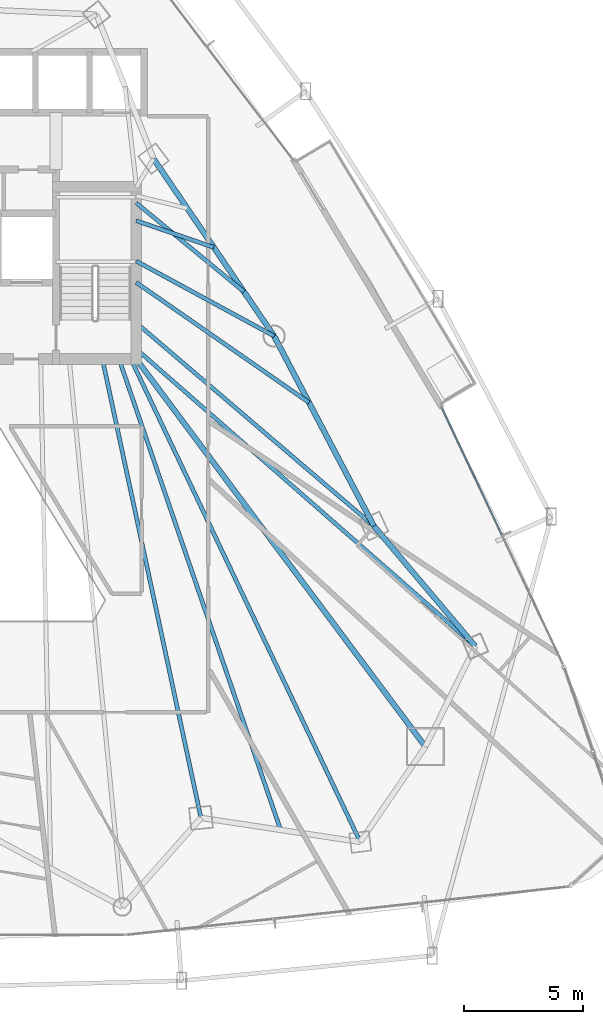
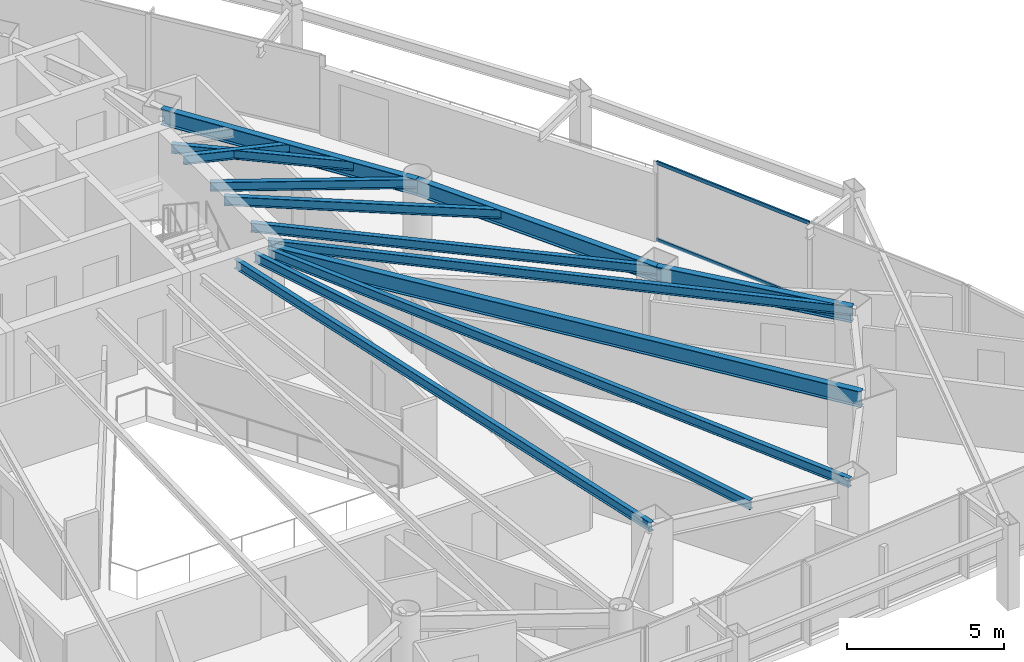
# One storey, part 16 of 33: 13 beams, 2 members, 1 element without a shape of its own.
"""IFC4 building model written with IfcOpenShell, lengths in metres."""

from ifc_helpers import new_model, si_unit, direction, frame, origin, origin_2d, place, context, subcontext, project, spatial, hollow_rectangle, i_section, extrude, material, layer, layer_set, material_profile, profile_set, type_object, element, aggregate, save


model = new_model("IFC4")

# Units and contexts
model_context = context("Model", 3, precision=1e-05, world=origin(), true_north=direction((0.0, 1.0)))
body_context = subcontext(model_context, "Body", "Model", "MODEL_VIEW")
ifc_project = project(units=[si_unit("LENGTHUNIT", "METRE"), si_unit("AREAUNIT", "SQUARE_METRE"), si_unit("VOLUMEUNIT", "CUBIC_METRE"), si_unit("PLANEANGLEUNIT", "RADIAN"), si_unit("MASSUNIT", "GRAM", prefix="KILO")], contexts=[model_context])

# Site, building, storey
site_placement = place(None, origin())
site = spatial("IfcSite", under=ifc_project, at=site_placement, CompositionType="ELEMENT")
building_placement = place(site_placement, origin())
building = spatial("IfcBuilding", under=site, at=building_placement, Name="Orvanel Arch Residences", CompositionType="ELEMENT")
storey_placement = place(building_placement, frame((0.0, 0.0, 90.64990234375)))
storey = spatial("IfcBuildingStorey", under=building, at=storey_placement, Name="L25", CompositionType="ELEMENT", Elevation=90.64990234375)

# Beams
ifc_material_1 = material(Name="Structural steel AS/NZS 3679.1 Grade 300 (300 MPa)", Category="steel")
ifc_material_profile_1 = material_profile(ifc_material_1, i_section(OverallWidth=0.22900390625, OverallDepth=0.612060546875, WebThickness=0.011962890625, FlangeThickness=0.01953125, at=origin_2d()), Name="610UB125")
ifc_profile_set_1 = profile_set([ifc_material_profile_1], Name="Structural steel AS/NZS 3679.1 Grade 300 (300 MPa)")
beam_type_1 = type_object("IfcBeamType", Name="BG-610UB", PredefinedType="BEAM", material=ifc_profile_set_1)
beam_1_placement = place(storey_placement, frame((39.625, 26.675048828125, 2.754150390625), z_axis=(0.597893733742, -0.801575375839, 0.0), x_axis=(0.801575375839, 0.597893733742, 0.0)))
element("IfcBeam", 1, at=beam_1_placement, inside=storey, type_object=beam_type_1, Name="L25 South-East Radial Girder", PredefinedType="BEAM", context=body_context, shape_type="SweptSolid", body=[
    extrude(i_section(OverallWidth=0.22900390625, OverallDepth=0.612060546875, WebThickness=0.011962890625, FlangeThickness=0.01953125, at=origin_2d()), origin(), (0.0, 0.0, 1.0), 20.36474609375),
])
ifc_material_profile_2 = material_profile(ifc_material_1, i_section(OverallWidth=0.1708984375, OverallDepth=0.35595703125, WebThickness=0.00732421875, FlangeThickness=0.011474609375, at=origin_2d()), Name="360UB50.7")
ifc_profile_set_2 = profile_set([ifc_material_profile_2], Name="Structural steel AS/NZS 3679.1 Grade 300 (300 MPa)")
beam_type_2 = type_object("IfcBeamType", Name="BJ-360UB", PredefinedType="JOIST", material=ifc_profile_set_2)
beam_2_placement = place(storey_placement, frame((39.625, 30.800048828125, 2.882080078125), z_axis=(0.878399029914, -0.477927969726, 0.0), x_axis=(0.477927969726, 0.878399029914, 0.0)))
element("IfcBeam", 2, at=beam_2_placement, inside=storey, type_object=beam_type_2, Name="L25 NE Wing Floor Joist", PredefinedType="JOIST", context=body_context, shape_type="SweptSolid", body=[
    extrude(i_section(OverallWidth=0.1708984375, OverallDepth=0.35595703125, WebThickness=0.00732421875, FlangeThickness=0.011474609375, at=origin_2d()), origin(), (0.0, 0.0, 1.0), 6.609619140625),
])
beam_3_placement = place(storey_placement, frame((39.625, 28.199951171875, 2.882080078125), z_axis=(0.760024297953, -0.649894658018, 0.0), x_axis=(0.649894658018, 0.760024297953, 0.0)))
element("IfcBeam", 3, at=beam_3_placement, inside=storey, type_object=beam_type_2, Name="L25 E Wing Floor Joist", PredefinedType="JOIST", context=body_context, shape_type="SweptSolid", body=[
    extrude(i_section(OverallWidth=0.1708984375, OverallDepth=0.35595703125, WebThickness=0.00732421875, FlangeThickness=0.011474609375, at=origin_2d()), origin(), (0.0, 0.0, 1.0), 13.16796875),
])
beam_4_placement = place(storey_placement, frame((38.199951171875, 26.675048828125, 2.882080078125), z_axis=(0.210066515515, -0.977687096703, 0.0), x_axis=(0.977687096703, 0.210066515515, 0.0)))
element("IfcBeam", 4, at=beam_4_placement, inside=storey, type_object=beam_type_2, Name="L25 SE Wing Floor Joist", PredefinedType="JOIST", context=body_context, shape_type="SweptSolid", body=[
    extrude(i_section(OverallWidth=0.1708984375, OverallDepth=0.35595703125, WebThickness=0.00732421875, FlangeThickness=0.011474609375, at=origin_2d()), origin(), (0.0, 0.0, 1.0), 19.760986328125),
])
beam_5_placement = place(storey_placement, frame((39.625, 32.5, 2.882080078125), z_axis=(0.945658073701, -0.325162740247, 0.0), x_axis=(0.325162740247, 0.945658073701, 0.0)))
element("IfcBeam", 5, at=beam_5_placement, inside=storey, type_object=beam_type_2, Name="L25 ENE Wing Floor Joist", PredefinedType="JOIST", context=body_context, shape_type="SweptSolid", body=[
    extrude(i_section(OverallWidth=0.1708984375, OverallDepth=0.35595703125, WebThickness=0.00732421875, FlangeThickness=0.011474609375, at=origin_2d()), origin(), (0.0, 0.0, 1.0), 3.453857421875),
])
beam_6_placement = place(storey_placement, frame((39.625, 27.10009765625, 2.882080078125), z_axis=(0.751924114057, -0.659249669472, 0.0), x_axis=(0.659249669472, 0.751924114057, 0.0)))
element("IfcBeam", 6, at=beam_6_placement, inside=storey, type_object=beam_type_2, Name="L25 ME Wing Floor Joist", PredefinedType="JOIST", context=body_context, shape_type="SweptSolid", body=[
    extrude(i_section(OverallWidth=0.1708984375, OverallDepth=0.35595703125, WebThickness=0.00732421875, FlangeThickness=0.011474609375, at=origin_2d()), origin(), (0.0, 0.0, 1.0), 18.9912109375),
])
beam_7_placement = place(storey_placement, frame((39.39990234375, 26.675048828125, 2.882080078125), z_axis=(0.429042657795, -0.903284228686, 0.0), x_axis=(0.903284228686, 0.429042657795, 0.0)))
element("IfcBeam", 7, at=beam_7_placement, inside=storey, type_object=beam_type_2, Name="L25 MSE Wing Floor Joist", PredefinedType="JOIST", context=body_context, shape_type="SweptSolid", body=[
    extrude(i_section(OverallWidth=0.1708984375, OverallDepth=0.35595703125, WebThickness=0.00732421875, FlangeThickness=0.011474609375, at=origin_2d()), origin(), (0.0, 0.0, 1.0), 22.513427734375),
])
beam_8_placement = place(storey_placement, frame((39.625, 33.25, 2.882080078125), z_axis=(0.771468562814, -0.636267441089, 0.0), x_axis=(0.636267441089, 0.771468562814, 0.0)))
element("IfcBeam", 8, at=beam_8_placement, inside=storey, type_object=beam_type_2, Name="L25 LE Wing Floor Joist", PredefinedType="JOIST", context=body_context, shape_type="SweptSolid", body=[
    extrude(i_section(OverallWidth=0.1708984375, OverallDepth=0.35595703125, WebThickness=0.00732421875, FlangeThickness=0.011474609375, at=origin_2d()), origin(), (0.0, 0.0, 1.0), 5.879638671875),
])
beam_9_placement = place(storey_placement, frame((39.625, 29.89990234375, 2.882080078125), z_axis=(0.821089880853, -0.570798920427, 0.0), x_axis=(0.570798920427, 0.821089880853, 0.0)))
element("IfcBeam", 9, at=beam_9_placement, inside=storey, type_object=beam_type_2, Name="L25 CTE Wing Floor Joist", PredefinedType="JOIST", context=body_context, shape_type="SweptSolid", body=[
    extrude(i_section(OverallWidth=0.1708984375, OverallDepth=0.35595703125, WebThickness=0.00732421875, FlangeThickness=0.011474609375, at=origin_2d()), origin(), (0.0, 0.0, 1.0), 8.86279296875),
])
beam_10_placement = place(storey_placement, frame((38.89990234375, 26.675048828125, 2.882080078125), z_axis=(0.324621456495, -0.945844019901, 0.0), x_axis=(0.945844019901, 0.324621456495, 0.0)))
element("IfcBeam", 10, at=beam_10_placement, inside=storey, type_object=beam_type_2, Name="L25 JADD2 Wing Floor Joist", PredefinedType="JOIST", context=body_context, shape_type="SweptSolid", body=[
    extrude(i_section(OverallWidth=0.1708984375, OverallDepth=0.35595703125, WebThickness=0.00732421875, FlangeThickness=0.011474609375, at=origin_2d()), origin(), (0.0, 0.0, 1.0), 20.96337890625),
])
ifc_material_profile_3 = material_profile(ifc_material_1, i_section(OverallWidth=0.22900390625, OverallDepth=0.612060546875, WebThickness=0.011962890625, FlangeThickness=0.01953125, at=origin_2d()), Name="610UB125")
ifc_profile_set_3 = profile_set([ifc_material_profile_3], Name="Structural steel AS/NZS 3679.1 Grade 300 (300 MPa)")
beam_type_3 = type_object("IfcBeamType", Name="SP-610UB", PredefinedType="SPANDREL", material=ifc_profile_set_3)
beam_11_placement = place(storey_placement, frame((53.905029296875, 14.580078125, 2.754150390625), z_axis=(-0.644950329775, 0.764224490659, 0.0), x_axis=(-0.764224490659, -0.644950329775, 0.0)))
element("IfcBeam", 11, at=beam_11_placement, inside=storey, type_object=beam_type_3, Name="L25 Perimeter Spandrel Beam 12", PredefinedType="SPANDREL", context=body_context, shape_type="SweptSolid", body=[
    extrude(i_section(OverallWidth=0.22900390625, OverallDepth=0.612060546875, WebThickness=0.011962890625, FlangeThickness=0.01953125, at=origin_2d()), origin(), (0.0, 0.0, 1.0), 6.623779296875),
])
beam_12_placement = place(storey_placement, frame((49.633056640625, 19.64208984375, 2.754150390625), z_axis=(-0.465064762793, 0.885276660942, 0.0), x_axis=(-0.885276660942, -0.465064762793, 0.0)))
element("IfcBeam", 12, at=beam_12_placement, inside=storey, type_object=beam_type_3, Name="L25 Perimeter Spandrel Beam 13", PredefinedType="SPANDREL", context=body_context, shape_type="SweptSolid", body=[
    extrude(i_section(OverallWidth=0.22900390625, OverallDepth=0.612060546875, WebThickness=0.011962890625, FlangeThickness=0.01953125, at=origin_2d()), origin(), (0.0, 0.0, 1.0), 9.03564453125),
])
beam_13_placement = place(storey_placement, frame((45.430908203125, 27.64111328125, 2.754150390625), z_axis=(-0.562154793153, 0.827032035978, 0.0), x_axis=(-0.827032035978, -0.562154793153, 0.0)))
element("IfcBeam", 13, at=beam_13_placement, inside=storey, type_object=beam_type_3, Name="L25 Perimeter Spandrel Beam 14", PredefinedType="SPANDREL", context=body_context, shape_type="SweptSolid", body=[
    extrude(i_section(OverallWidth=0.22900390625, OverallDepth=0.612060546875, WebThickness=0.011962890625, FlangeThickness=0.01953125, at=origin_2d()), origin(), (0.0, 0.0, 1.0), 9.03466796875),
])

# Curtain wall, members
ifc_material_2 = material(Name="Bronze-anodised aluminium AA6063-T6", Category="aluminium")
ifc_layer = layer(ifc_material_2, 0.179931640625)
ifc_layer_set = layer_set([ifc_layer], Name="Bronze-anodised aluminium AA6063-T6")
curtain_wall_type = type_object("IfcCurtainWallType", Name="CW2-LOW-SYS", PredefinedType="NOTDEFINED", material=ifc_layer_set)
curtain_wall_placement = place(storey_placement, origin())
curtain_wall = element("IfcCurtainWall", 14, at=curtain_wall_placement, inside=storey, type_object=curtain_wall_type, Name="L25 CW2-LOW-SYS Unitised Curtain Wall", PredefinedType="NOTDEFINED")
ifc_material_profile_4 = material_profile(ifc_material_2, hollow_rectangle(XDim=0.06005859375, YDim=0.135009765625, WallThickness=0.00390625, at=origin_2d()), Name="ALU135x60x4")
ifc_profile_set_4 = profile_set([ifc_material_profile_4], Name="Bronze-anodised aluminium AA6063-T6")
member_type = type_object("IfcMemberType", Name="TRN-135x60", PredefinedType="USERDEFINED", material=ifc_profile_set_4)
member_1_placement = place(storey_placement, frame((55.01953125, 19.28076171875, 0.030029296875), z_axis=(-0.427181548634, 0.904165872231, 0.0), x_axis=(-0.904165872231, -0.427181548634, 0.0)))
member_1 = element("IfcMember", 15, at=member_1_placement, type_object=member_type, Name="CW-S2 transom 2.1", ObjectType="TRANSOM", PredefinedType="USERDEFINED", context=body_context, shape_type="SweptSolid", body=[
    extrude(hollow_rectangle(XDim=0.06005859375, YDim=0.135009765625, WallThickness=0.00390625, at=origin_2d()), origin(), (0.0, 0.0, 1.0), 5.9169921875),
])
member_2_placement = place(storey_placement, frame((55.01953125, 19.28076171875, 3.030029296875), z_axis=(-0.427181548634, 0.904165872231, 0.0), x_axis=(-0.904165872231, -0.427181548634, 0.0)))
member_2 = element("IfcMember", 16, at=member_2_placement, type_object=member_type, Name="CW-S2 transom 2.2", ObjectType="TRANSOM", PredefinedType="USERDEFINED", context=body_context, shape_type="SweptSolid", body=[
    extrude(hollow_rectangle(XDim=0.06005859375, YDim=0.135009765625, WallThickness=0.00390625, at=origin_2d()), origin(), (0.0, 0.0, 1.0), 5.9169921875),
])
aggregate(curtain_wall, [member_1, member_2])

save(model, "model.ifc")
